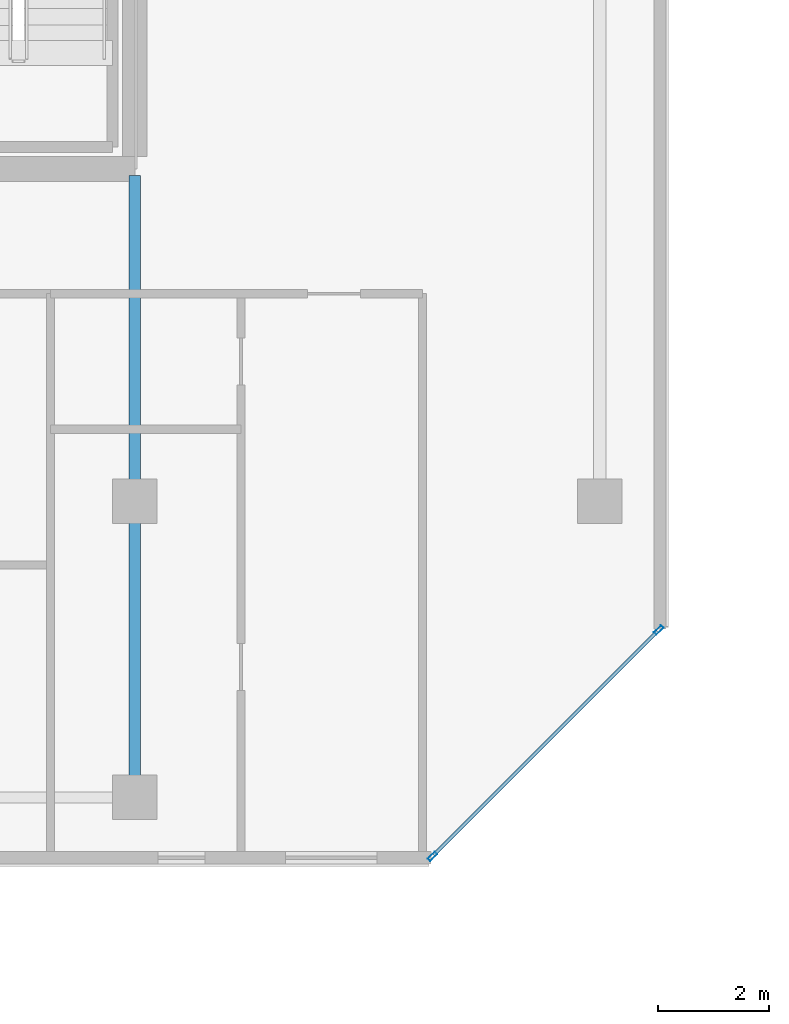
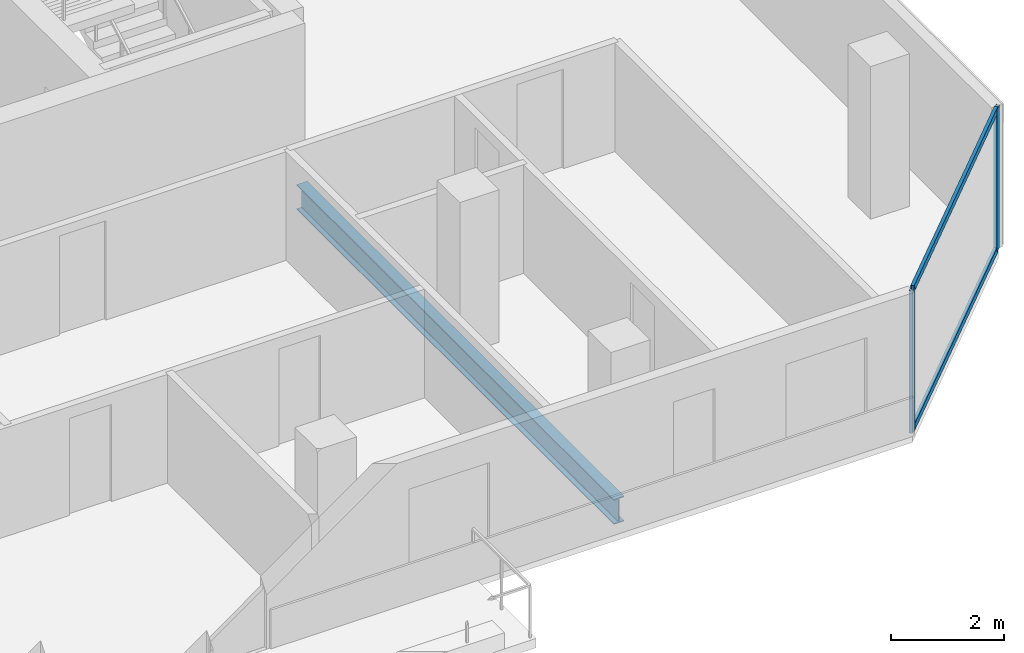
# One storey, part 14 of 29: 4 members, 1 beam, 1 element without a shape of its own.
"""IFC4 building model written with IfcOpenShell, lengths in metres."""

from ifc_helpers import new_model, si_unit, direction, frame, origin, origin_2d, place, context, subcontext, project, spatial, hollow_rectangle, i_section, extrude, material, layer, layer_set, material_profile, profile_set, type_object, element, aggregate, save


model = new_model("IFC4")

# Units and contexts
model_context = context("Model", 3, precision=1e-05, world=origin(), true_north=direction((0.0, 1.0)))
body_context = subcontext(model_context, "Body", "Model", "MODEL_VIEW")
ifc_project = project(units=[si_unit("LENGTHUNIT", "METRE"), si_unit("AREAUNIT", "SQUARE_METRE"), si_unit("VOLUMEUNIT", "CUBIC_METRE"), si_unit("PLANEANGLEUNIT", "RADIAN"), si_unit("MASSUNIT", "GRAM", prefix="KILO")], contexts=[model_context])

# Site, building, storey
site_placement = place(None, origin())
site = spatial("IfcSite", under=ifc_project, at=site_placement, CompositionType="ELEMENT")
building_placement = place(site_placement, origin())
building = spatial("IfcBuilding", under=site, at=building_placement, Name="Tanjung Sevakor Pilgrim Tower", CompositionType="ELEMENT")
storey_placement = place(building_placement, frame((0.0, 0.0, 181.830078125)))
storey = spatial("IfcBuildingStorey", under=building, at=storey_placement, Name="L50", CompositionType="ELEMENT", Elevation=181.830078125)

# Beam
ifc_material_1 = material(Name="Steel S355J2", Category="steel")
ifc_material_profile_1 = material_profile(ifc_material_1, i_section(OverallWidth=0.2119140625, OverallDepth=0.54443359375, WebThickness=0.0126953125, FlangeThickness=0.021240234375, FilletRadius=0.0126953125, at=origin_2d()))
ifc_profile_set_1 = profile_set([ifc_material_profile_1], Name="Steel S355J2")
beam_type = type_object("IfcBeamType", Name="BM-B-G5-UB_533x210x122", PredefinedType="BEAM", material=ifc_profile_set_1)
beam_placement = place(storey_placement, frame((90.0, 13.25, -0.492431640625), z_axis=(0.0, 1.0, 0.0), x_axis=(-1.0, 0.0, 0.0)))
element("IfcBeam", 1, at=beam_placement, inside=storey, type_object=beam_type, Name="L50 MAIN Girder 013", PredefinedType="BEAM", context=body_context, shape_type="SweptSolid", body=[
    extrude(i_section(OverallWidth=0.2119140625, OverallDepth=0.54443359375, WebThickness=0.0126953125, FlangeThickness=0.021240234375, FilletRadius=0.0126953125, at=origin_2d()), origin(), (0.0, 0.0, 1.0), 11.235595703125),
])

# Curtain wall, members
ifc_material_2 = material(Name="Aluminium 6063-T6 and Low-E Glass", Category="aluminium")
ifc_layer = layer(ifc_material_2, 0.179931640625)
ifc_layer_set = layer_set([ifc_layer], Name="CW-SYS-CHAM")
curtain_wall_type = type_object("IfcCurtainWallType", Name="CW-SYS-CHAM", PredefinedType="NOTDEFINED", material=ifc_layer_set)
curtain_wall_placement = place(storey_placement, origin())
curtain_wall = element("IfcCurtainWall", 2, at=curtain_wall_placement, inside=storey, type_object=curtain_wall_type, Name="L50 Curtain Wall CW-CHM-L50-MAIN-5", PredefinedType="NOTDEFINED")
ifc_material_3 = material(Name="Aluminium 6063-T6", Category="aluminium")
ifc_material_profile_2 = material_profile(ifc_material_3, hollow_rectangle(XDim=0.06494140625, YDim=0.179931640625, WallThickness=0.00390625, at=origin_2d()))
ifc_profile_set_2 = profile_set([ifc_material_profile_2], Name="Aluminium 6063-T6")
member_type_1 = type_object("IfcMemberType", Name="TYPE-CWM-1", PredefinedType="MULLION", material=ifc_profile_set_2)
member_1_placement = place(storey_placement, frame((95.37744140625, 12.182861328125, 0.0), z_axis=(0.0, 0.0, 1.0), x_axis=(-0.707106781187, 0.707106781187, 0.0)))
member_1 = element("IfcMember", 3, at=member_1_placement, type_object=member_type_1, Name="CW-CHM mullion 1", PredefinedType="MULLION", context=body_context, shape_type="SweptSolid", body=[
    extrude(hollow_rectangle(XDim=0.06494140625, YDim=0.179931640625, WallThickness=0.00390625, at=origin_2d()), origin(), (0.0, 0.0, 1.0), 3.079833984375),
])
member_2_placement = place(storey_placement, frame((99.467041015625, 16.272705078125, 0.0), z_axis=(0.0, 0.0, 1.0), x_axis=(-0.707106781187, 0.707106781187, 0.0)))
member_2 = element("IfcMember", 4, at=member_2_placement, type_object=member_type_1, Name="CW-CHM mullion 2", PredefinedType="MULLION", context=body_context, shape_type="SweptSolid", body=[
    extrude(hollow_rectangle(XDim=0.06494140625, YDim=0.179931640625, WallThickness=0.00390625, at=origin_2d()), origin(), (0.0, 0.0, 1.0), 3.079833984375),
])
ifc_material_4 = material(Name="Aluminium 6063-T6", Category="aluminium")
ifc_material_profile_3 = material_profile(ifc_material_4, hollow_rectangle(XDim=0.06494140625, YDim=0.139892578125, WallThickness=0.00390625, at=origin_2d()))
ifc_profile_set_3 = profile_set([ifc_material_profile_3], Name="Aluminium 6063-T6")
member_type_2 = type_object("IfcMemberType", Name="TYPE-CWT-1", PredefinedType="USERDEFINED", material=ifc_profile_set_3)
member_3_placement = place(storey_placement, frame((95.400390625, 12.2060546875, 0.032470703125), z_axis=(0.707106781187, 0.707106781187, 0.0), x_axis=(-0.707106781187, 0.707106781187, 0.0)))
member_3 = element("IfcMember", 5, at=member_3_placement, type_object=member_type_2, Name="CW-CHM transom 1.1", ObjectType="TRANSOM", PredefinedType="USERDEFINED", context=body_context, shape_type="SweptSolid", body=[
    extrude(hollow_rectangle(XDim=0.06494140625, YDim=0.139892578125, WallThickness=0.00390625, at=origin_2d()), origin(), (0.0, 0.0, 1.0), 5.71875),
])
member_4_placement = place(storey_placement, frame((95.400390625, 12.2060546875, 3.04736328125), z_axis=(0.707106781187, 0.707106781187, 0.0), x_axis=(-0.707106781187, 0.707106781187, 0.0)))
member_4 = element("IfcMember", 6, at=member_4_placement, type_object=member_type_2, Name="CW-CHM transom 1.2", ObjectType="TRANSOM", PredefinedType="USERDEFINED", context=body_context, shape_type="SweptSolid", body=[
    extrude(hollow_rectangle(XDim=0.06494140625, YDim=0.139892578125, WallThickness=0.00390625, at=origin_2d()), origin(), (0.0, 0.0, 1.0), 5.71875),
])
aggregate(curtain_wall, [member_1, member_2, member_3, member_4])

save(model, "model.ifc")
